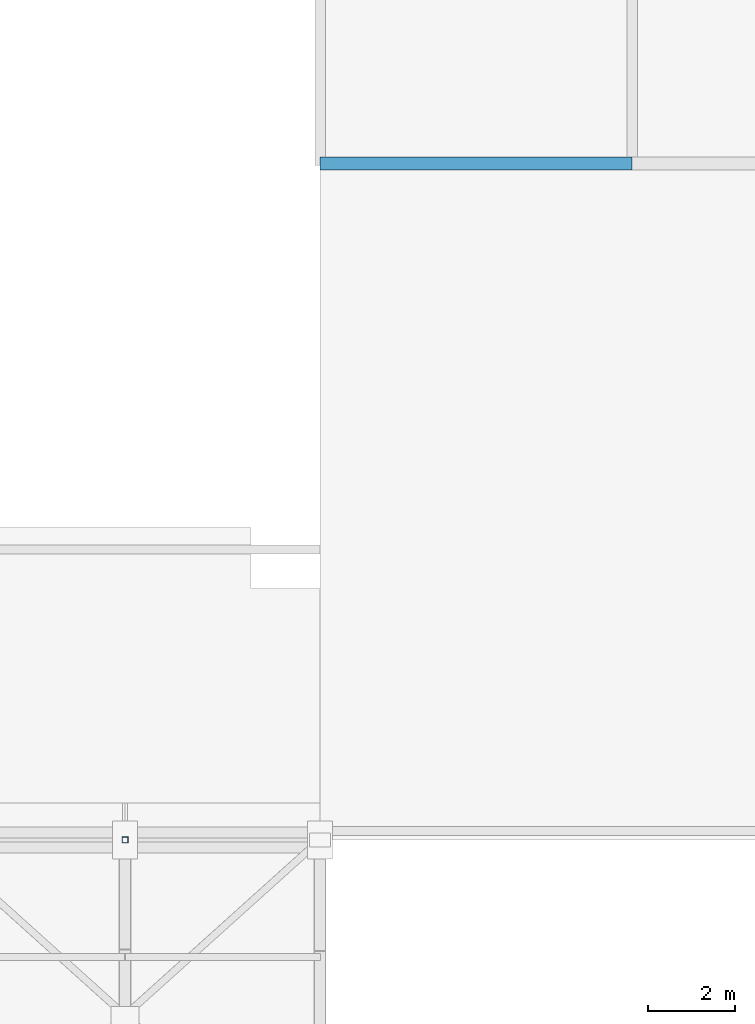
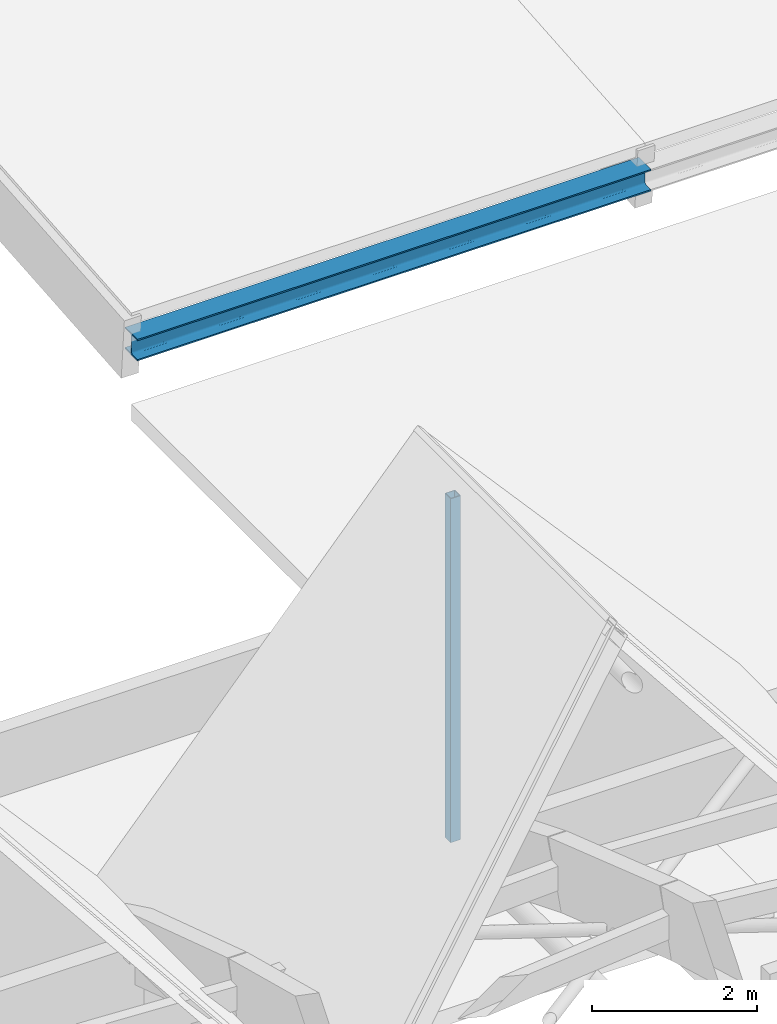
# One storey, part 27 of 39: 1 beam, 1 member.
"""IFC4 building model written with IfcOpenShell, lengths in metres."""

import ifcopenshell
import ifcopenshell.guid

model = None  # the IFC model being written
_history = None  # IfcOwnerHistory: only IFC2X3 demands one
_inside = {}  # id of a spatial element -> (the spatial element, [elements in it])
_under = {}  # id of a project, library or spatial element -> (it, [spatial elements below it])
_declared = {}  # id of a project -> (the project, [libraries it declares])
_typed = {}  # id of a type object -> (the type object, [elements of that type])
_made_of = {}  # id of a material, layer set ... -> (it, [elements and type objects made of it])


def new_model(schema):
    """Start an empty IFC model of exactly this schema.

    Asked for "IFC4X3", IfcOpenShell would pick the latest addendum, in which some entities
    have other attributes; the version numbers below select the first issue.
    IFC2X3 requires an IfcOwnerHistory on every rooted entity: one is made here for all.
    """
    global model, _history
    if schema == "IFC4X3":
        model = ifcopenshell.file(schema_version=(4, 3, 0, 0))
    else:
        model = ifcopenshell.file(schema=schema)
    _inside.clear()
    _under.clear()
    _declared.clear()
    _typed.clear()
    _made_of.clear()
    _history = None
    if model.schema == "IFC2X3":
        org = make("IfcOrganization", Name="unknown")
        user = make(
            "IfcPersonAndOrganization",
            ThePerson=make("IfcPerson", FamilyName="unknown"),
            TheOrganization=org,
        )
        app = make(
            "IfcApplication",
            ApplicationDeveloper=org,
            Version="unknown",
            ApplicationFullName="unknown",
            ApplicationIdentifier="unknown",
        )
        _history = make(
            "IfcOwnerHistory",
            OwningUser=user,
            OwningApplication=app,
            ChangeAction="ADDED",
            CreationDate=0,
        )
    return model


def make(cls, **values):
    """One entity of the class cls with the attributes given. An attribute that is None is left unset."""
    return model.create_entity(
        cls, **{name: value for name, value in values.items() if value is not None}
    )


def rooted(cls, **values):
    """An entity with a GlobalId (a new one), such as an element, a storey or a relation."""
    return make(cls, GlobalId=ifcopenshell.guid.new(), OwnerHistory=_history, **values)


def si_unit(unit_type, name, prefix=None):
    """IfcSIUnit, for example si_unit("LENGTHUNIT", "METRE", prefix="MILLI")."""
    return make("IfcSIUnit", UnitType=unit_type, Prefix=prefix, Name=name)


def assignment(units):
    """IfcUnitAssignment: the units of a project."""
    return None if units is None else make("IfcUnitAssignment", Units=units)


def point(xyz):
    """IfcCartesianPoint."""
    return None if xyz is None else make("IfcCartesianPoint", Coordinates=xyz)


def direction(xyz):
    """IfcDirection."""
    return None if xyz is None else make("IfcDirection", DirectionRatios=xyz)


def frame(location, z_axis=None, x_axis=None):
    """IfcAxis2Placement3D, a coordinate frame: its origin and axes. An axis left out is left unset."""
    return make(
        "IfcAxis2Placement3D",
        Location=point(location),
        Axis=direction(z_axis),
        RefDirection=direction(x_axis),
    )


def frame_2d(location, x_axis=None):
    """IfcAxis2Placement2D, a coordinate frame in the plane: its origin and x axis."""
    return make(
        "IfcAxis2Placement2D", Location=point(location), RefDirection=direction(x_axis)
    )


def origin():
    """The frame at (0, 0, 0) with its axes left unset."""
    return frame((0.0, 0.0, 0.0))


def origin_2d():
    """The frame at (0, 0) in the plane with its x axis left unset."""
    return frame_2d((0.0, 0.0))


def place(relative_to, where):
    """IfcLocalPlacement: puts the frame where relative to a parent placement (None: the world)."""
    return make(
        "IfcLocalPlacement", PlacementRelTo=relative_to, RelativePlacement=where
    )


def context(
    kind, dimensions, precision=None, world=None, true_north=None, identifier=None
):
    """IfcGeometricRepresentationContext, for example the 3D "Model" context."""
    return make(
        "IfcGeometricRepresentationContext",
        ContextIdentifier=identifier,
        ContextType=kind,
        CoordinateSpaceDimension=dimensions,
        Precision=precision,
        WorldCoordinateSystem=world,
        TrueNorth=true_north,
    )


def subcontext(parent, identifier, kind, view, scale=None):
    """IfcGeometricRepresentationSubContext, for example "Body" below "Model"."""
    return make(
        "IfcGeometricRepresentationSubContext",
        ContextIdentifier=identifier,
        ContextType=kind,
        ParentContext=parent,
        TargetScale=scale,
        TargetView=view,
    )


def project(units=None, contexts=None):
    """IfcProject with its units and contexts."""
    return rooted(
        "IfcProject",
        Name="project",
        RepresentationContexts=contexts,
        UnitsInContext=assignment(units),
    )


def spatial(cls, under=None, at=None, **own):
    """A site, building, storey or space (cls), placed at a placement, below another one or the project."""
    s = rooted(cls, ObjectPlacement=at, **own)
    if under is not None:
        _under.setdefault(under.id(), (under, []))[1].append(s)
    return s


def profile(cls, at=None, kind="AREA", **sizes):
    """A parametric profile (cls). Its sizes go by their IFC names, for example OverallWidth=200.0."""
    return make(cls, ProfileType=kind, Position=at, **sizes)


def hollow_rectangle(**sizes):
    """IfcRectangleHollowProfileDef."""
    return profile("IfcRectangleHollowProfileDef", **sizes)


def i_section(**sizes):
    """IfcIShapeProfileDef."""
    return profile("IfcIShapeProfileDef", **sizes)


def extrude(swept, where, along, depth):
    """IfcExtrudedAreaSolid: the profile swept, set in the frame where, extruded along a direction by depth."""
    return make(
        "IfcExtrudedAreaSolid",
        SweptArea=swept,
        Position=where,
        ExtrudedDirection=direction(along),
        Depth=depth,
    )


def shape(context_of_items, identifier, shape_type, items):
    """IfcShapeRepresentation: the items that make up one representation, for example the "Body"."""
    return make(
        "IfcShapeRepresentation",
        ContextOfItems=context_of_items,
        RepresentationIdentifier=identifier,
        RepresentationType=shape_type,
        Items=items,
    )


def material(Name=None, Category=None):
    """IfcMaterial."""
    return make("IfcMaterial", Name=Name, Category=Category)


def material_profile(
    of_material, cross_section, Name=None, Category=None, Priority=None
):
    """IfcMaterialProfile: a cross section and its material."""
    return make(
        "IfcMaterialProfile",
        Name=Name,
        Material=of_material,
        Profile=cross_section,
        Priority=Priority,
        Category=Category,
    )


def profile_set(profiles, Name=None, composite=None):
    """IfcMaterialProfileSet."""
    return make(
        "IfcMaterialProfileSet",
        Name=Name,
        MaterialProfiles=profiles,
        CompositeProfile=composite,
    )


def made_of(thing, what):
    """Note that an element or type object is made of a material, layer set ...; save() writes the relation."""
    if what is not None:
        _made_of.setdefault(what.id(), (what, []))[1].append(thing)
    return thing


def type_object(cls, material=None, **own):
    """A type object (cls), such as IfcWallType, which elements share."""
    return made_of(rooted(cls, **own), material)


def element(
    cls,
    number,
    at=None,
    inside=None,
    cuts=None,
    type_object=None,
    material=None,
    context=None,
    identifier="Body",
    shape_type=None,
    held_by="IfcProductDefinitionShape",
    body=None,
    shapes=None,
    **own,
):
    """One element of the class cls, such as IfcWall. Its Tag is "e" and its number.

    at: its placement. inside: the storey or other place that contains it. cuts: it is an
    opening in that element (IfcRelVoidsElement). A single representation is given by context,
    identifier, shape_type and body (its items); several are given by shapes. held_by: the class
    of the entity that holds the representations. save() writes the other relations.
    """
    e = rooted(cls, Tag="e%d" % number, ObjectPlacement=at, **own)
    if body is not None:
        shapes = [shape(context, identifier, shape_type, body)]
    if shapes is not None:
        e.Representation = make(held_by, Representations=shapes)
    if inside is not None:
        _inside.setdefault(inside.id(), (inside, []))[1].append(e)
    if cuts is not None:
        rooted(
            "IfcRelVoidsElement", RelatingBuildingElement=cuts, RelatedOpeningElement=e
        )
    if type_object is not None:
        _typed.setdefault(type_object.id(), (type_object, []))[1].append(e)
    return made_of(e, material)


def aggregate(whole, parts):
    """IfcRelAggregates: a whole, such as a stair, and the parts it consists of."""
    return rooted("IfcRelAggregates", RelatingObject=whole, RelatedObjects=parts)


def save(model, path):
    """Write the relations noted so far, then the file.

    IfcRelAggregates (storeys below a building ...), IfcRelContainedInSpatialStructure (elements
    in a storey), IfcRelDefinesByType, IfcRelAssociatesMaterial and IfcRelDeclares: one each for
    every whole, place, type object, material and project.
    """
    for whole, parts in _under.values():
        aggregate(whole, parts)
    for where, things in _inside.values():
        rooted(
            "IfcRelContainedInSpatialStructure",
            RelatedElements=things,
            RelatingStructure=where,
        )
    for kind, things in _typed.values():
        rooted("IfcRelDefinesByType", RelatedObjects=things, RelatingType=kind)
    for what, things in _made_of.values():
        rooted("IfcRelAssociatesMaterial", RelatedObjects=things, RelatingMaterial=what)
    for by, libraries in _declared.values():
        rooted("IfcRelDeclares", RelatingContext=by, RelatedDefinitions=libraries)
    model.write(path)


model = new_model("IFC4")

# Units and contexts
model_context = context("Model", 3, precision=1e-05, world=origin(), true_north=direction((0.0, 1.0)))
body_context = subcontext(model_context, "Body", "Model", "MODEL_VIEW")
ifc_project = project(units=[si_unit("LENGTHUNIT", "METRE"), si_unit("AREAUNIT", "SQUARE_METRE"), si_unit("VOLUMEUNIT", "CUBIC_METRE"), si_unit("PLANEANGLEUNIT", "RADIAN"), si_unit("MASSUNIT", "GRAM", prefix="KILO")], contexts=[model_context])

# Site, building, storey
site_placement = place(None, origin())
site = spatial("IfcSite", under=ifc_project, at=site_placement, CompositionType="ELEMENT")
building_placement = place(site_placement, origin())
building = spatial("IfcBuilding", under=site, at=building_placement, Name="Tizgana Railside Sports Hall", CompositionType="ELEMENT")
storey_placement = place(building_placement, frame((0.0, 0.0, 23.699951171875)))
storey = spatial("IfcBuildingStorey", under=building, at=storey_placement, Name="RF", CompositionType="ELEMENT", Elevation=23.699951171875)

# Beam
ifc_material = material(Name="Steel S355J2", Category="steel")
ifc_material_profile_1 = material_profile(ifc_material, i_section(OverallWidth=0.300048828125, OverallDepth=0.320068359375, WebThickness=0.011474609375, FlangeThickness=0.0205078125, FilletRadius=0.027099609375, at=origin_2d()), Name="HEB 320")
ifc_profile_set_1 = profile_set([ifc_material_profile_1], Name="Steel S355J2")
beam_type = type_object("IfcBeamType", Name="Steel Beam HEB 320", PredefinedType="BEAM", material=ifc_profile_set_1)
beam_placement = place(storey_placement, frame((133.800048828125, 88.800048828125, -6.60986328125), z_axis=(1.0, 0.0, 0.0), x_axis=(0.0, 1.0, 0.0)))
element("IfcBeam", 1, at=beam_placement, inside=storey, type_object=beam_type, Name="RF BEM-1235", PredefinedType="BEAM", context=body_context, shape_type="SweptSolid", body=[
    extrude(i_section(OverallWidth=0.300048828125, OverallDepth=0.320068359375, WebThickness=0.011474609375, FlangeThickness=0.0205078125, FilletRadius=0.027099609375, at=origin_2d()), origin(), (0.0, 0.0, 1.0), 7.199951171875),
])

# Member
ifc_material_profile_2 = material_profile(ifc_material, hollow_rectangle(XDim=0.139892578125, YDim=0.139892578125, WallThickness=0.008056640625, at=origin_2d()), Name="SHS 140x140x8")
ifc_profile_set_2 = profile_set([ifc_material_profile_2], Name="Steel S355J2")
member_type = type_object("IfcMemberType", Name="Steel Brace SHS 140x140x8", PredefinedType="BRACE", material=ifc_profile_set_2)
member_placement = place(storey_placement, frame((129.300048828125, 73.199951171875, -2.89990234375), z_axis=(0.0, 0.0, 1.0), x_axis=(1.0, 0.0, 0.0)))
element("IfcMember", 2, at=member_placement, inside=storey, type_object=member_type, Name="RF King Post", PredefinedType="BRACE", context=body_context, shape_type="SweptSolid", body=[
    extrude(hollow_rectangle(XDim=0.139892578125, YDim=0.139892578125, WallThickness=0.008056640625, at=origin_2d()), origin(), (0.0, 0.0, 1.0), 5.099853515625),
])

save(model, "model.ifc")
